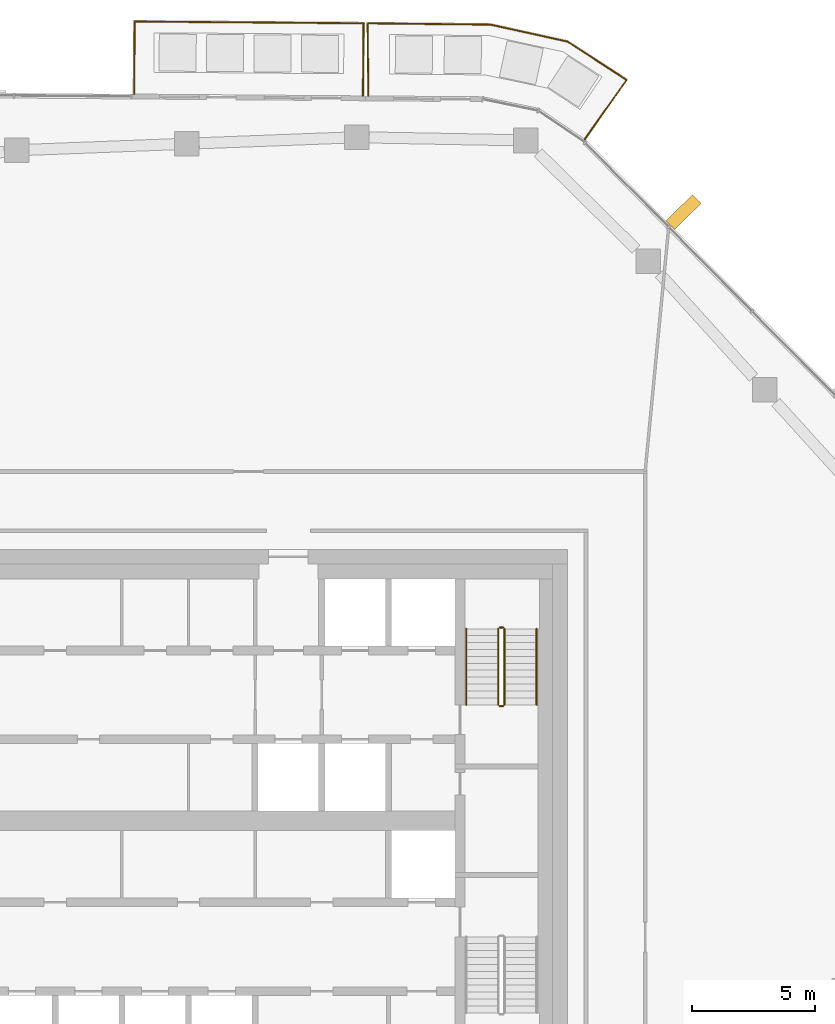
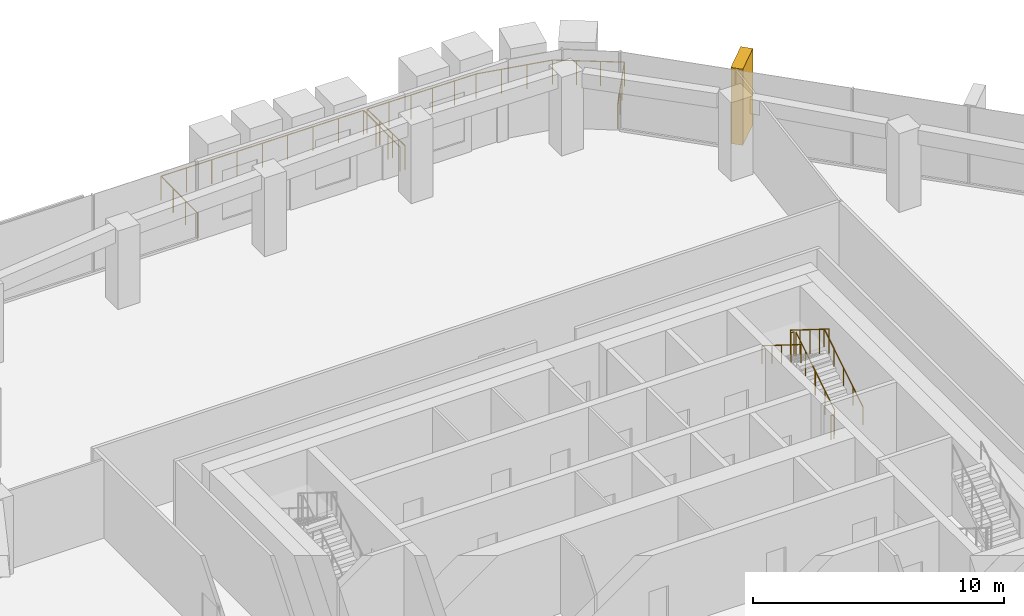
# One storey, part 22 of 23: 8 railings, 1 covering, 1 element without a shape of its own.
"""IFC4 building model written with IfcOpenShell, lengths in metres."""

from ifc_helpers import new_model, si_unit, direction, frame, origin, origin_2d, place, context, subcontext, project, spatial, rectangle, circle, extrude, material, layer, layer_set, material_profile, profile_set, type_object, element, aggregate, save


model = new_model("IFC4")

# Units and contexts
model_context = context("Model", 3, precision=1e-05, world=origin(), true_north=direction((0.0, 1.0)))
body_context = subcontext(model_context, "Body", "Model", "MODEL_VIEW")
ifc_project = project(units=[si_unit("LENGTHUNIT", "METRE"), si_unit("AREAUNIT", "SQUARE_METRE"), si_unit("VOLUMEUNIT", "CUBIC_METRE"), si_unit("PLANEANGLEUNIT", "RADIAN"), si_unit("MASSUNIT", "GRAM", prefix="KILO")], contexts=[model_context])

# Site, building, storey
site_placement = place(None, origin())
site = spatial("IfcSite", under=ifc_project, at=site_placement, CompositionType="ELEMENT")
building_placement = place(site_placement, origin())
building = spatial("IfcBuilding", under=site, at=building_placement, Name="Dongbaek Canopy Tower", CompositionType="ELEMENT")
storey_placement = place(building_placement, frame((0.0, 0.0, 323.60009765625)))
storey = spatial("IfcBuildingStorey", under=building, at=storey_placement, Name="L69", CompositionType="ELEMENT", Elevation=323.60009765625)

# Railings
ifc_material_1 = material(Name="Stainless steel", Category="steel")
railing_type_1 = type_object("IfcRailingType", Name="Balcony balustrade 1200", PredefinedType="BALUSTRADE", material=ifc_material_1)
railing_1_placement = place(storey_placement, frame((5.717529296875, 29.3681640625, 0.0)))
element("IfcRailing", 1, at=railing_1_placement, inside=storey, type_object=railing_type_1, Name="Balcony guard L69 1", PredefinedType="BALUSTRADE", context=body_context, shape_type="SweptSolid", body=[
    extrude(circle(Radius=0.02392578125, at=origin_2d()), frame((0.0, 0.0, 1.17578125), z_axis=(0.007722739301, 0.999970179204, 0.0), x_axis=(-0.999970179204, 0.007722739301, 0.0)), (0.0, 0.0, 1.0), 2.93994140625),
    extrude(circle(Radius=0.02392578125, at=origin_2d()), frame((0.022705078125, 2.93994140625, 1.17578125), z_axis=(-0.9999698236, 0.007768647897, 0.0), x_axis=(-0.007768647897, -0.9999698236, 0.0)), (0.0, 0.0, 1.0), 9.270751953125),
    extrude(circle(Radius=0.02392578125, at=origin_2d()), frame((-9.247802734375, 3.011962890625, 1.17578125), z_axis=(-0.007806422703, -0.999969529418, 0.0), x_axis=(0.999969529418, -0.007806422703, 0.0)), (0.0, 0.0, 1.0), 2.939697265625),
    extrude(circle(Radius=0.02099609375, at=origin_2d()), origin(), (0.0, 0.0, 1.0), 1.15185546875),
    extrude(circle(Radius=0.02099609375, at=origin_2d()), frame((0.007568359375, 0.97998046875, 0.0)), (0.0, 0.0, 1.0), 1.15185546875),
    extrude(circle(Radius=0.02099609375, at=origin_2d()), frame((0.01513671875, 1.9599609375, 0.0)), (0.0, 0.0, 1.0), 1.15185546875),
    extrude(circle(Radius=0.02099609375, at=origin_2d()), frame((0.022705078125, 2.93994140625, 0.0)), (0.0, 0.0, 1.0), 1.15185546875),
    extrude(circle(Radius=0.02099609375, at=origin_2d()), frame((-1.13623046875, 2.948974609375, 0.0)), (0.0, 0.0, 1.0), 1.15185546875),
    extrude(circle(Radius=0.02099609375, at=origin_2d()), frame((-2.294921875, 2.9580078125, 0.0)), (0.0, 0.0, 1.0), 1.15185546875),
    extrude(circle(Radius=0.02099609375, at=origin_2d()), frame((-3.45361328125, 2.967041015625, 0.0)), (0.0, 0.0, 1.0), 1.15185546875),
    extrude(circle(Radius=0.02099609375, at=origin_2d()), frame((-4.612548828125, 2.97607421875, 0.0)), (0.0, 0.0, 1.0), 1.15185546875),
    extrude(circle(Radius=0.02099609375, at=origin_2d()), frame((-5.771484375, 2.98486328125, 0.0)), (0.0, 0.0, 1.0), 1.15185546875),
    extrude(circle(Radius=0.02099609375, at=origin_2d()), frame((-6.93017578125, 2.993896484375, 0.0)), (0.0, 0.0, 1.0), 1.15185546875),
    extrude(circle(Radius=0.02099609375, at=origin_2d()), frame((-8.0888671875, 3.0029296875, 0.0)), (0.0, 0.0, 1.0), 1.15185546875),
    extrude(circle(Radius=0.02099609375, at=origin_2d()), frame((-9.247802734375, 3.011962890625, 0.0)), (0.0, 0.0, 1.0), 1.15185546875),
    extrude(circle(Radius=0.02099609375, at=origin_2d()), frame((-9.25537109375, 2.031982421875, 0.0)), (0.0, 0.0, 1.0), 1.15185546875),
    extrude(circle(Radius=0.02099609375, at=origin_2d()), frame((-9.26318359375, 1.05224609375, 0.0)), (0.0, 0.0, 1.0), 1.15185546875),
    extrude(circle(Radius=0.02099609375, at=origin_2d()), frame((-9.270751953125, 0.072265625, 0.0)), (0.0, 0.0, 1.0), 1.15185546875),
])
railing_2_placement = place(storey_placement, frame((14.701171875, 27.611083984375, 0.0)))
element("IfcRailing", 2, at=railing_2_placement, inside=storey, type_object=railing_type_1, Name="Balcony guard L69 5", PredefinedType="BALUSTRADE", context=body_context, shape_type="SweptSolid", body=[
    extrude(circle(Radius=0.02392578125, at=origin_2d()), frame((0.0, 0.0, 1.17578125), z_axis=(0.577422879325, 0.816445232966, 0.0), x_axis=(-0.816445232966, 0.577422879325, 0.0)), (0.0, 0.0, 1.0), 2.940673828125),
    extrude(circle(Radius=0.02392578125, at=origin_2d()), frame((1.697998046875, 2.40087890625, 1.17578125), z_axis=(-0.838900130266, 0.544285376838, 0.0), x_axis=(-0.544285376838, -0.838900130266, 0.0)), (0.0, 0.0, 1.0), 2.857177734375),
    extrude(circle(Radius=0.02392578125, at=origin_2d()), frame((-0.698974609375, 3.9560546875, 1.17578125), z_axis=(-0.976611413959, 0.2150119674, 0.0), x_axis=(-0.2150119674, -0.976611413959, 0.0)), (0.0, 0.0, 1.0), 3.194091796875),
    extrude(circle(Radius=0.02392578125, at=origin_2d()), frame((-3.818359375, 4.642822265625, 1.17578125), z_axis=(-0.999943473544, 0.010632484014, 0.0), x_axis=(-0.010632484014, -0.999943473544, 0.0)), (0.0, 0.0, 1.0), 4.982666015625),
    extrude(circle(Radius=0.02392578125, at=origin_2d()), frame((-8.80078125, 4.69580078125, 1.17578125), z_axis=(0.012619386964, -0.999920372366, 0.0), x_axis=(0.999920372366, 0.012619386964, 0.0)), (0.0, 0.0, 1.0), 2.940673828125),
    extrude(circle(Radius=0.02099609375, at=origin_2d()), origin(), (0.0, 0.0, 1.0), 1.15185546875),
    extrude(circle(Radius=0.02099609375, at=origin_2d()), frame((0.56591796875, 0.80029296875, 0.0)), (0.0, 0.0, 1.0), 1.15185546875),
    extrude(circle(Radius=0.02099609375, at=origin_2d()), frame((1.132080078125, 1.6005859375, 0.0)), (0.0, 0.0, 1.0), 1.15185546875),
    extrude(circle(Radius=0.02099609375, at=origin_2d()), frame((1.697998046875, 2.40087890625, 0.0)), (0.0, 0.0, 1.0), 1.15185546875),
    extrude(circle(Radius=0.02099609375, at=origin_2d()), frame((0.89892578125, 2.919189453125, 0.0)), (0.0, 0.0, 1.0), 1.15185546875),
    extrude(circle(Radius=0.02099609375, at=origin_2d()), frame((0.10009765625, 3.437744140625, 0.0)), (0.0, 0.0, 1.0), 1.15185546875),
    extrude(circle(Radius=0.02099609375, at=origin_2d()), frame((-0.698974609375, 3.9560546875, 0.0)), (0.0, 0.0, 1.0), 1.15185546875),
    extrude(circle(Radius=0.02099609375, at=origin_2d()), frame((-1.73876953125, 4.18505859375, 0.0)), (0.0, 0.0, 1.0), 1.15185546875),
    extrude(circle(Radius=0.02099609375, at=origin_2d()), frame((-2.778564453125, 4.413818359375, 0.0)), (0.0, 0.0, 1.0), 1.15185546875),
    extrude(circle(Radius=0.02099609375, at=origin_2d()), frame((-3.818359375, 4.642822265625, 0.0)), (0.0, 0.0, 1.0), 1.15185546875),
    extrude(circle(Radius=0.02099609375, at=origin_2d()), frame((-4.81494140625, 4.6533203125, 0.0)), (0.0, 0.0, 1.0), 1.15185546875),
    extrude(circle(Radius=0.02099609375, at=origin_2d()), frame((-5.811279296875, 4.6640625, 0.0)), (0.0, 0.0, 1.0), 1.15185546875),
    extrude(circle(Radius=0.02099609375, at=origin_2d()), frame((-6.807861328125, 4.674560546875, 0.0)), (0.0, 0.0, 1.0), 1.15185546875),
    extrude(circle(Radius=0.02099609375, at=origin_2d()), frame((-7.80419921875, 4.685302734375, 0.0)), (0.0, 0.0, 1.0), 1.15185546875),
    extrude(circle(Radius=0.02099609375, at=origin_2d()), frame((-8.80078125, 4.69580078125, 0.0)), (0.0, 0.0, 1.0), 1.15185546875),
    extrude(circle(Radius=0.02099609375, at=origin_2d()), frame((-8.788330078125, 3.715576171875, 0.0)), (0.0, 0.0, 1.0), 1.15185546875),
    extrude(circle(Radius=0.02099609375, at=origin_2d()), frame((-8.776123046875, 2.735595703125, 0.0)), (0.0, 0.0, 1.0), 1.15185546875),
    extrude(circle(Radius=0.02099609375, at=origin_2d()), frame((-8.763671875, 1.75537109375, 0.0)), (0.0, 0.0, 1.0), 1.15185546875),
])

# Curtain wall, covering
ifc_material_2 = material(Name="Aluminium 6063-T6 pale anodised", Category="aluminium")
ifc_layer = layer(ifc_material_2, 0.199951171875)
ifc_layer_set = layer_set([ifc_layer], Name="CW-1 unitised tower curtain wall")
curtain_wall_type = type_object("IfcCurtainWallType", Name="CW-1 unitised tower curtain wall", PredefinedType="NOTDEFINED", material=ifc_layer_set)
curtain_wall_placement = place(storey_placement, origin())
curtain_wall = element("IfcCurtainWall", 3, at=curtain_wall_placement, inside=storey, type_object=curtain_wall_type, Name="CW-1 curtain wall F0.1", PredefinedType="NOTDEFINED")
ifc_material_3 = material(Name="Aluminium 6063-T6 pale metal fin", Category="aluminium")
ifc_material_profile = material_profile(ifc_material_3, rectangle(XDim=1.5, YDim=0.5, at=origin_2d()), Name="Fin FN1 500 x 1500 pale metal")
ifc_profile_set = profile_set([ifc_material_profile], Name="Aluminium 6063-T6 pale metal fin")
covering_type = type_object("IfcCoveringType", Name="Fin FN1 500 x 1500 pale metal", PredefinedType="CLADDING", material=ifc_profile_set)
covering_placement = place(storey_placement, frame((18.7060546875, 24.658447265625, 0.119873046875), z_axis=(0.0, 0.0, 1.0), x_axis=(0.711035260325, 0.703156354287, 0.0)))
covering = element("IfcCovering", 4, at=covering_placement, type_object=covering_type, Name="Fin F0.1.5", PredefinedType="CLADDING", context=body_context, shape_type="SweptSolid", body=[
    extrude(rectangle(XDim=1.5, YDim=0.5, at=origin_2d()), origin(), (0.0, 0.0, 1.0), 3.699951171875),
])
aggregate(curtain_wall, [covering])

# Railings
ifc_material_4 = material(Name="Stainless steel tube and balusters", Category="steel")
railing_type_2 = type_object("IfcRailingType", Name="Stair guard 1200", PredefinedType="GUARDRAIL", material=ifc_material_4)
railing_3_placement = place(storey_placement, frame((11.449951171875, 4.699951171875, 0.1748046875)))
element("IfcRailing", 5, at=railing_3_placement, inside=storey, type_object=railing_type_2, Name="L69 ST-A stair guard 1", PredefinedType="GUARDRAIL", context=body_context, shape_type="SweptSolid", body=[
    extrude(circle(Radius=0.02392578125, at=origin_2d()), frame((0.0, 0.0, 1.17578125), z_axis=(0.0, 0.847998304005, 0.529998940003), x_axis=(-1.0, 0.0, 0.0)), (0.0, 0.0, 1.0), 3.632080078125),
    extrude(circle(Radius=0.02099609375, at=origin_2d()), origin(), (0.0, 0.0, 1.0), 1.15185546875),
    extrude(circle(Radius=0.02099609375, at=origin_2d()), frame((0.0, 0.77001953125, 0.481201171875)), (0.0, 0.0, 1.0), 1.15185546875),
    extrude(circle(Radius=0.02099609375, at=origin_2d()), frame((0.0, 1.5400390625, 0.96240234375)), (0.0, 0.0, 1.0), 1.15185546875),
    extrude(circle(Radius=0.02099609375, at=origin_2d()), frame((0.0, 2.31005859375, 1.44384765625)), (0.0, 0.0, 1.0), 1.15185546875),
    extrude(circle(Radius=0.02099609375, at=origin_2d()), frame((0.0, 3.080078125, 1.925048828125)), (0.0, 0.0, 1.0), 1.15185546875),
])
railing_4_placement = place(storey_placement, frame((11.39990234375, 7.830078125, 2.099853515625)))
element("IfcRailing", 6, at=railing_4_placement, inside=storey, type_object=railing_type_2, Name="L69 ST-A stair guard 2", PredefinedType="GUARDRAIL", context=body_context, shape_type="SweptSolid", body=[
    extrude(circle(Radius=0.02392578125, at=origin_2d()), frame((0.0, 0.0, 1.17578125), z_axis=(-1.0, 0.0, 0.0), x_axis=(0.0, -1.0, 0.0)), (0.0, 0.0, 1.0), 0.14990234375),
    extrude(circle(Radius=0.02099609375, at=origin_2d()), origin(), (0.0, 0.0, 1.0), 1.15185546875),
    extrude(circle(Radius=0.02099609375, at=origin_2d()), frame((-0.14990234375, 0.0, 0.0)), (0.0, 0.0, 1.0), 1.15185546875),
])
railing_5_placement = place(storey_placement, frame((11.199951171875, 7.780029296875, 2.27490234375)))
element("IfcRailing", 7, at=railing_5_placement, inside=storey, type_object=railing_type_2, Name="L69 ST-A stair guard 3", PredefinedType="GUARDRAIL", context=body_context, shape_type="SweptSolid", body=[
    extrude(circle(Radius=0.02392578125, at=origin_2d()), frame((0.0, 0.0, 1.17578125), z_axis=(0.0, -0.847998304005, 0.529998940003), x_axis=(1.0, 0.0, 0.0)), (0.0, 0.0, 1.0), 3.632080078125),
    extrude(circle(Radius=0.02099609375, at=origin_2d()), origin(), (0.0, 0.0, 1.0), 1.15185546875),
    extrude(circle(Radius=0.02099609375, at=origin_2d()), frame((0.0, -0.77001953125, 0.481201171875)), (0.0, 0.0, 1.0), 1.15185546875),
    extrude(circle(Radius=0.02099609375, at=origin_2d()), frame((0.0, -1.5400390625, 0.96240234375)), (0.0, 0.0, 1.0), 1.15185546875),
    extrude(circle(Radius=0.02099609375, at=origin_2d()), frame((0.0, -2.31005859375, 1.44384765625)), (0.0, 0.0, 1.0), 1.15185546875),
    extrude(circle(Radius=0.02099609375, at=origin_2d()), frame((0.0, -3.080078125, 1.925048828125)), (0.0, 0.0, 1.0), 1.15185546875),
])
railing_6_placement = place(storey_placement, frame((11.39990234375, 4.64990234375, 0.0)))
element("IfcRailing", 8, at=railing_6_placement, inside=storey, type_object=railing_type_2, Name="L69 ST-A stair guard 4", PredefinedType="GUARDRAIL", context=body_context, shape_type="SweptSolid", body=[
    extrude(circle(Radius=0.02392578125, at=origin_2d()), frame((0.0, 0.0, 1.17578125), z_axis=(-1.0, 0.0, 0.0), x_axis=(0.0, -1.0, 0.0)), (0.0, 0.0, 1.0), 0.14990234375),
    extrude(circle(Radius=0.02099609375, at=origin_2d()), origin(), (0.0, 0.0, 1.0), 1.15185546875),
    extrude(circle(Radius=0.02099609375, at=origin_2d()), frame((-0.14990234375, 0.0, 0.0)), (0.0, 0.0, 1.0), 1.15185546875),
])
ifc_material_5 = material(Name="Stainless steel tube", Category="steel")
railing_type_3 = type_object("IfcRailingType", Name="Stair handrail 900", PredefinedType="HANDRAIL", material=ifc_material_5)
railing_7_placement = place(storey_placement, frame((12.75, 4.699951171875, 0.1748046875)))
element("IfcRailing", 9, at=railing_7_placement, inside=storey, type_object=railing_type_3, Name="L69 ST-A stair handrail 1", PredefinedType="HANDRAIL", context=body_context, shape_type="SweptSolid", body=[
    extrude(circle(Radius=0.02392578125, at=origin_2d()), frame((0.0, 0.0, 0.8759765625), z_axis=(0.0, 0.847998304005, 0.529998940003), x_axis=(-1.0, 0.0, 0.0)), (0.0, 0.0, 1.0), 3.632080078125),
    extrude(circle(Radius=0.02099609375, at=origin_2d()), origin(), (0.0, 0.0, 1.0), 0.851806640625),
    extrude(circle(Radius=0.02099609375, at=origin_2d()), frame((0.0, 0.77001953125, 0.481201171875)), (0.0, 0.0, 1.0), 0.851806640625),
    extrude(circle(Radius=0.02099609375, at=origin_2d()), frame((0.0, 1.5400390625, 0.96240234375)), (0.0, 0.0, 1.0), 0.851806640625),
    extrude(circle(Radius=0.02099609375, at=origin_2d()), frame((0.0, 2.31005859375, 1.44384765625)), (0.0, 0.0, 1.0), 0.851806640625),
    extrude(circle(Radius=0.02099609375, at=origin_2d()), frame((0.0, 3.080078125, 1.925048828125)), (0.0, 0.0, 1.0), 0.851806640625),
])
railing_8_placement = place(storey_placement, frame((9.89990234375, 7.780029296875, 2.27490234375)))
element("IfcRailing", 10, at=railing_8_placement, inside=storey, type_object=railing_type_3, Name="L69 ST-A stair handrail 2", PredefinedType="HANDRAIL", context=body_context, shape_type="SweptSolid", body=[
    extrude(circle(Radius=0.02392578125, at=origin_2d()), frame((0.0, 0.0, 0.8759765625), z_axis=(0.0, -0.847998304005, 0.529998940003), x_axis=(1.0, 0.0, 0.0)), (0.0, 0.0, 1.0), 3.632080078125),
    extrude(circle(Radius=0.02099609375, at=origin_2d()), origin(), (0.0, 0.0, 1.0), 0.851806640625),
    extrude(circle(Radius=0.02099609375, at=origin_2d()), frame((0.0, -0.77001953125, 0.481201171875)), (0.0, 0.0, 1.0), 0.851806640625),
    extrude(circle(Radius=0.02099609375, at=origin_2d()), frame((0.0, -1.5400390625, 0.96240234375)), (0.0, 0.0, 1.0), 0.851806640625),
    extrude(circle(Radius=0.02099609375, at=origin_2d()), frame((0.0, -2.31005859375, 1.44384765625)), (0.0, 0.0, 1.0), 0.851806640625),
    extrude(circle(Radius=0.02099609375, at=origin_2d()), frame((0.0, -3.080078125, 1.925048828125)), (0.0, 0.0, 1.0), 0.851806640625),
])

save(model, "model.ifc")
